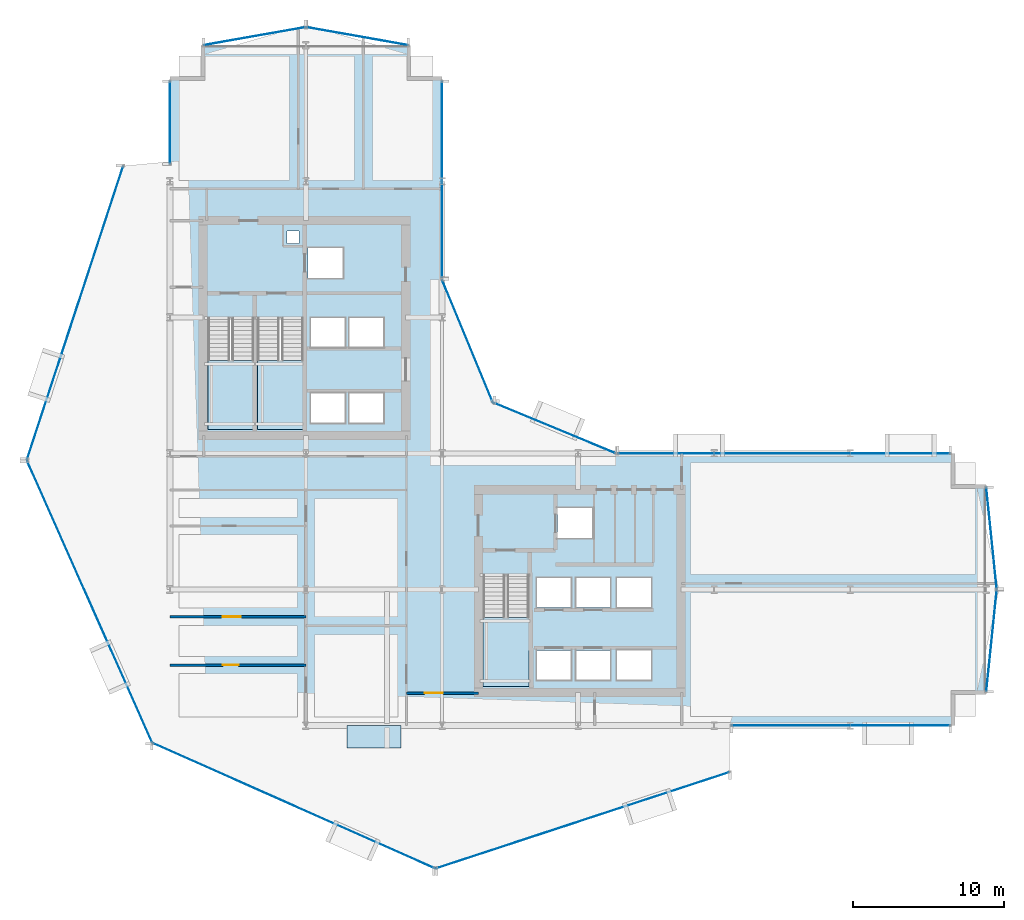
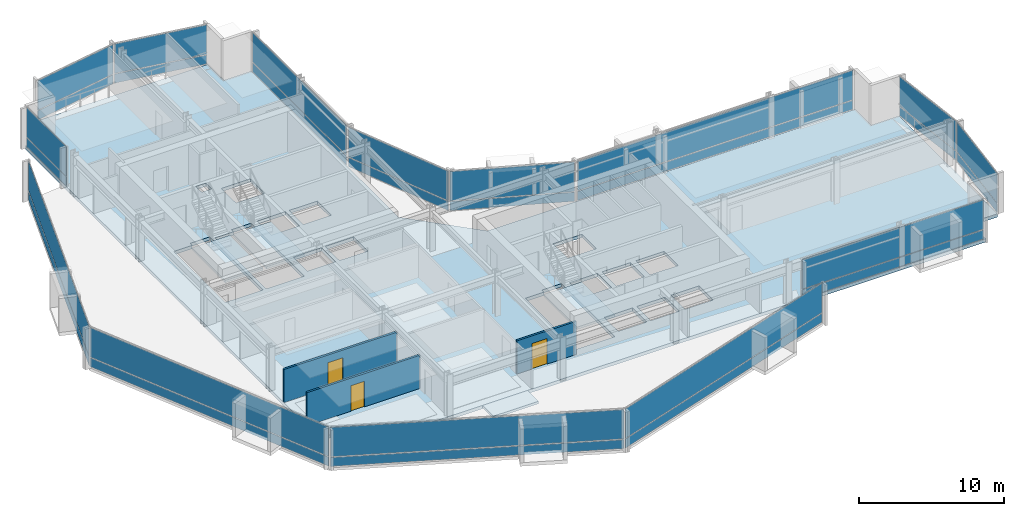
# One storey, part 26 of 34: 28 plates, 5 slabs, 3 doors, 3 walls, 3 openings, 17 elements without a shape of their own.
"""IFC4 building model written with IfcOpenShell, lengths in metres."""

from ifc_helpers import new_model, si_unit, direction, frame, frame_2d, origin, origin_2d, place, context, subcontext, project, spatial, polyline, rectangle, outline, extrude, material, layer, layer_set, type_object, element, fill, aggregate, save


model = new_model("IFC4")

# Units and contexts
model_context = context("Model", 3, precision=1e-05, world=origin(), true_north=direction((0.0, 1.0)))
body_context = subcontext(model_context, "Body", "Model", "MODEL_VIEW")
ifc_project = project(units=[si_unit("LENGTHUNIT", "METRE"), si_unit("AREAUNIT", "SQUARE_METRE"), si_unit("VOLUMEUNIT", "CUBIC_METRE"), si_unit("PLANEANGLEUNIT", "RADIAN"), si_unit("MASSUNIT", "GRAM", prefix="KILO")], contexts=[model_context])

# Site, building, storey
site_placement = place(None, origin())
site = spatial("IfcSite", under=ifc_project, at=site_placement, CompositionType="ELEMENT")
building_placement = place(site_placement, origin())
building = spatial("IfcBuilding", under=site, at=building_placement, Name="Solvaryn Broadcast Tower", CompositionType="ELEMENT")
storey_placement = place(building_placement, frame((0.0, 0.0, 58.199951171875)))
storey = spatial("IfcBuildingStorey", under=building, at=storey_placement, Name="L13", CompositionType="ELEMENT", Elevation=58.199951171875)

# Curtain wall, plates
ifc_material_1 = material(Name="Aluminium and Terracotta Unitised Curtain Wall", Category="masonry")
ifc_layer_1 = layer(ifc_material_1, 0.199951171875)
ifc_layer_set_1 = layer_set([ifc_layer_1], Name="CW-SYS2-LOWMID")
curtain_wall_type_1 = type_object("IfcCurtainWallType", Name="CW-SYS2-LOWMID", PredefinedType="NOTDEFINED", material=ifc_layer_set_1)
curtain_wall_1_placement = place(storey_placement, origin())
curtain_wall_1 = element("IfcCurtainWall", 1, at=curtain_wall_1_placement, inside=storey, type_object=curtain_wall_type_1, Name="L13 Curtain Wall DR1", PredefinedType="NOTDEFINED")
ifc_material_2 = material(Name="Low-Iron Insulated Vision Glass", Category="glass")
ifc_layer_2 = layer(ifc_material_2, 0.035888671875)
ifc_layer_set_2 = layer_set([ifc_layer_2], Name="CW-PNL-VISION")
plate_type = type_object("IfcPlateType", Name="CW-PNL-VISION", PredefinedType="CURTAIN_PANEL", material=ifc_layer_set_2)
plate_1_placement = place(storey_placement, frame((2.72607421875, 36.2880859375, 0.06005859375), z_axis=(0.0, 0.0, 1.0), x_axis=(-0.311594044587, -0.950215318429, 0.0)))
plate_1 = element("IfcPlate", 2, at=plate_1_placement, type_object=plate_type, Name="CWS2 panel 1.1", PredefinedType="CURTAIN_PANEL", context=body_context, shape_type="SweptSolid", body=[
    extrude(rectangle(XDim=20.35546875, YDim=0.028076171875, at=origin_2d()), origin(), (0.0, 0.0, 1.0), 0.760009765625),
])
plate_2_placement = place(storey_placement, frame((2.72607421875, 36.2880859375, 0.880126953125), z_axis=(0.0, 0.0, 1.0), x_axis=(-0.311594044587, -0.950215318429, 0.0)))
plate_2 = element("IfcPlate", 3, at=plate_2_placement, type_object=plate_type, Name="CWS2 panel 1.2", PredefinedType="CURTAIN_PANEL", context=body_context, shape_type="SweptSolid", body=[
    extrude(rectangle(XDim=20.35546875, YDim=0.028076171875, at=origin_2d()), origin(), (0.0, 0.0, 1.0), 2.47998046875),
])
aggregate(curtain_wall_1, [plate_1, plate_2])

ifc_material_3 = material(Name="Aluminium and Terracotta Unitised Curtain Wall", Category="masonry")
ifc_layer_3 = layer(ifc_material_3, 0.239990234375)
ifc_layer_set_3 = layer_set([ifc_layer_3], Name="CW-SYS3-BAYBOX")
curtain_wall_type_2 = type_object("IfcCurtainWallType", Name="CW-SYS3-BAYBOX", PredefinedType="NOTDEFINED", material=ifc_layer_set_3)
curtain_wall_2_placement = place(storey_placement, origin())
curtain_wall_2 = element("IfcCurtainWall", 4, at=curtain_wall_2_placement, inside=storey, type_object=curtain_wall_type_2, Name="L13 Curtain Wall DR2", PredefinedType="NOTDEFINED")
plate_3_placement = place(storey_placement, frame((3.69140625, 17.20361328125, 0.06005859375), z_axis=(0.0, 0.0, 1.0), x_axis=(0.405898286554, -0.913918257271, 0.0)))
plate_3 = element("IfcPlate", 5, at=plate_3_placement, type_object=plate_type, Name="CWS3 panel 1.1", PredefinedType="CURTAIN_PANEL", context=body_context, shape_type="SweptSolid", body=[
    extrude(rectangle(XDim=20.35546875, YDim=0.028076171875, at=origin_2d()), origin(), (0.0, 0.0, 1.0), 0.760009765625),
])
plate_4_placement = place(storey_placement, frame((3.69140625, 17.20361328125, 0.880126953125), z_axis=(0.0, 0.0, 1.0), x_axis=(0.405898286554, -0.913918257271, 0.0)))
plate_4 = element("IfcPlate", 6, at=plate_4_placement, type_object=plate_type, Name="CWS3 panel 1.2", PredefinedType="CURTAIN_PANEL", context=body_context, shape_type="SweptSolid", body=[
    extrude(rectangle(XDim=20.35546875, YDim=0.028076171875, at=origin_2d()), origin(), (0.0, 0.0, 1.0), 2.47998046875),
])
aggregate(curtain_wall_2, [plate_3, plate_4])

curtain_wall_3_placement = place(storey_placement, origin())
curtain_wall_3 = element("IfcCurtainWall", 7, at=curtain_wall_3_placement, inside=storey, type_object=curtain_wall_type_1, Name="L13 Curtain Wall DR3", PredefinedType="NOTDEFINED")
plate_5_placement = place(storey_placement, frame((17.20361328125, 3.69140625, 0.06005859375), z_axis=(0.0, 0.0, 1.0), x_axis=(0.913918257271, -0.405898286554, 0.0)))
plate_5 = element("IfcPlate", 8, at=plate_5_placement, type_object=plate_type, Name="CWS2 panel 1.1", PredefinedType="CURTAIN_PANEL", context=body_context, shape_type="SweptSolid", body=[
    extrude(rectangle(XDim=20.35546875, YDim=0.028076171875, at=origin_2d()), origin(), (0.0, 0.0, 1.0), 0.760009765625),
])
plate_6_placement = place(storey_placement, frame((17.20361328125, 3.69140625, 0.880126953125), z_axis=(0.0, 0.0, 1.0), x_axis=(0.913918257271, -0.405898286554, 0.0)))
plate_6 = element("IfcPlate", 9, at=plate_6_placement, type_object=plate_type, Name="CWS2 panel 1.2", PredefinedType="CURTAIN_PANEL", context=body_context, shape_type="SweptSolid", body=[
    extrude(rectangle(XDim=20.35546875, YDim=0.028076171875, at=origin_2d()), origin(), (0.0, 0.0, 1.0), 2.47998046875),
])
aggregate(curtain_wall_3, [plate_5, plate_6])

curtain_wall_4_placement = place(storey_placement, origin())
curtain_wall_4 = element("IfcCurtainWall", 10, at=curtain_wall_4_placement, inside=storey, type_object=curtain_wall_type_1, Name="L13 Curtain Wall DR4", PredefinedType="NOTDEFINED")
plate_7_placement = place(storey_placement, frame((36.2880859375, 2.72607421875, 0.06005859375), z_axis=(0.0, 0.0, 1.0), x_axis=(0.950215318429, 0.311594044587, 0.0)))
plate_7 = element("IfcPlate", 11, at=plate_7_placement, type_object=plate_type, Name="CWS2 panel 1.1", PredefinedType="CURTAIN_PANEL", context=body_context, shape_type="SweptSolid", body=[
    extrude(rectangle(XDim=20.35546875, YDim=0.028076171875, at=origin_2d()), origin(), (0.0, 0.0, 1.0), 0.760009765625),
])
plate_8_placement = place(storey_placement, frame((36.2880859375, 2.72607421875, 0.880126953125), z_axis=(0.0, 0.0, 1.0), x_axis=(0.950215318429, 0.311594044587, 0.0)))
plate_8 = element("IfcPlate", 12, at=plate_8_placement, type_object=plate_type, Name="CWS2 panel 1.2", PredefinedType="CURTAIN_PANEL", context=body_context, shape_type="SweptSolid", body=[
    extrude(rectangle(XDim=20.35546875, YDim=0.028076171875, at=origin_2d()), origin(), (0.0, 0.0, 1.0), 2.47998046875),
])
aggregate(curtain_wall_4, [plate_7, plate_8])

curtain_wall_5_placement = place(storey_placement, origin())
curtain_wall_5 = element("IfcCurtainWall", 13, at=curtain_wall_5_placement, inside=storey, type_object=curtain_wall_type_1, Name="L13 Curtain Wall W2", PredefinedType="NOTDEFINED")
plate_9_placement = place(storey_placement, frame((9.0, 48.883056640625, 0.06005859375), z_axis=(0.0, 0.0, 1.0), x_axis=(0.0, 1.0, 0.0)))
plate_9 = element("IfcPlate", 14, at=plate_9_placement, type_object=plate_type, Name="CWS2 panel 1.1", PredefinedType="CURTAIN_PANEL", context=body_context, shape_type="SweptSolid", body=[
    extrude(rectangle(XDim=5.4140625, YDim=0.028076171875, at=origin_2d()), origin(), (0.0, 0.0, 1.0), 0.760009765625),
])
plate_10_placement = place(storey_placement, frame((9.0, 48.883056640625, 0.880126953125), z_axis=(0.0, 0.0, 1.0), x_axis=(0.0, 1.0, 0.0)))
plate_10 = element("IfcPlate", 15, at=plate_10_placement, type_object=plate_type, Name="CWS2 panel 1.2", PredefinedType="CURTAIN_PANEL", context=body_context, shape_type="SweptSolid", body=[
    extrude(rectangle(XDim=5.4140625, YDim=0.028076171875, at=origin_2d()), origin(), (0.0, 0.0, 1.0), 2.47998046875),
])
aggregate(curtain_wall_5, [plate_9, plate_10])

curtain_wall_6_placement = place(storey_placement, origin())
curtain_wall_6 = element("IfcCurtainWall", 16, at=curtain_wall_6_placement, inside=storey, type_object=curtain_wall_type_1, Name="L13 Curtain Wall IV", PredefinedType="NOTDEFINED")
plate_11_placement = place(storey_placement, frame((27.0, 45.125, 0.06005859375), z_axis=(0.0, 0.0, 1.0), x_axis=(0.0, -1.0, 0.0)))
plate_11 = element("IfcPlate", 17, at=plate_11_placement, type_object=plate_type, Name="CWS2 panel 1.1", PredefinedType="CURTAIN_PANEL", context=body_context, shape_type="SweptSolid", body=[
    extrude(rectangle(XDim=12.929931640625, YDim=0.028076171875, at=origin_2d()), origin(), (0.0, 0.0, 1.0), 0.760009765625),
])
plate_12_placement = place(storey_placement, frame((27.0, 45.125, 0.880126953125), z_axis=(0.0, 0.0, 1.0), x_axis=(0.0, -1.0, 0.0)))
plate_12 = element("IfcPlate", 18, at=plate_12_placement, type_object=plate_type, Name="CWS2 panel 1.2", PredefinedType="CURTAIN_PANEL", context=body_context, shape_type="SweptSolid", body=[
    extrude(rectangle(XDim=12.929931640625, YDim=0.028076171875, at=origin_2d()), origin(), (0.0, 0.0, 1.0), 2.47998046875),
])
aggregate(curtain_wall_6, [plate_11, plate_12])

curtain_wall_7_placement = place(storey_placement, origin())
curtain_wall_7 = element("IfcCurtainWall", 19, at=curtain_wall_7_placement, inside=storey, type_object=curtain_wall_type_1, Name="L13 Curtain Wall CN1", PredefinedType="NOTDEFINED")
plate_13_placement = place(storey_placement, frame((34.43408203125, 28.68408203125, 0.06005859375), z_axis=(0.0, 0.0, 1.0), x_axis=(-0.923894983957, 0.382646127145, 0.0)))
plate_13 = element("IfcPlate", 20, at=plate_13_placement, type_object=plate_type, Name="CWS2 panel 1.1", PredefinedType="CURTAIN_PANEL", context=body_context, shape_type="SweptSolid", body=[
    extrude(rectangle(XDim=8.681884765625, YDim=0.028076171875, at=origin_2d()), origin(), (0.0, 0.0, 1.0), 0.760009765625),
])
plate_14_placement = place(storey_placement, frame((34.43408203125, 28.68408203125, 0.880126953125), z_axis=(0.0, 0.0, 1.0), x_axis=(-0.923894983957, 0.382646127145, 0.0)))
plate_14 = element("IfcPlate", 21, at=plate_14_placement, type_object=plate_type, Name="CWS2 panel 1.2", PredefinedType="CURTAIN_PANEL", context=body_context, shape_type="SweptSolid", body=[
    extrude(rectangle(XDim=8.681884765625, YDim=0.028076171875, at=origin_2d()), origin(), (0.0, 0.0, 1.0), 2.47998046875),
])
aggregate(curtain_wall_7, [plate_13, plate_14])

curtain_wall_8_placement = place(storey_placement, origin())
curtain_wall_8 = element("IfcCurtainWall", 22, at=curtain_wall_8_placement, inside=storey, type_object=curtain_wall_type_1, Name="L13 Curtain Wall CN2", PredefinedType="NOTDEFINED")
plate_15_placement = place(storey_placement, frame((28.68408203125, 34.43408203125, 0.06005859375), z_axis=(0.0, 0.0, 1.0), x_axis=(-0.382646127145, 0.923894983957, 0.0)))
plate_15 = element("IfcPlate", 23, at=plate_15_placement, type_object=plate_type, Name="CWS2 panel 1.1", PredefinedType="CURTAIN_PANEL", context=body_context, shape_type="SweptSolid", body=[
    extrude(rectangle(XDim=8.681884765625, YDim=0.028076171875, at=origin_2d()), origin(), (0.0, 0.0, 1.0), 0.760009765625),
])
plate_16_placement = place(storey_placement, frame((28.68408203125, 34.43408203125, 0.880126953125), z_axis=(0.0, 0.0, 1.0), x_axis=(-0.382646127145, 0.923894983957, 0.0)))
plate_16 = element("IfcPlate", 24, at=plate_16_placement, type_object=plate_type, Name="CWS2 panel 1.2", PredefinedType="CURTAIN_PANEL", context=body_context, shape_type="SweptSolid", body=[
    extrude(rectangle(XDim=8.681884765625, YDim=0.028076171875, at=origin_2d()), origin(), (0.0, 0.0, 1.0), 2.47998046875),
])
aggregate(curtain_wall_8, [plate_15, plate_16])

curtain_wall_9_placement = place(storey_placement, origin())
curtain_wall_9 = element("IfcCurtainWall", 25, at=curtain_wall_9_placement, inside=storey, type_object=curtain_wall_type_1, Name="L13 Curtain Wall S2", PredefinedType="NOTDEFINED")
plate_17_placement = place(storey_placement, frame((53.383056640625, 9.0, 0.06005859375), z_axis=(0.0, 0.0, 1.0), x_axis=(1.0, 0.0, 0.0)))
plate_17 = element("IfcPlate", 26, at=plate_17_placement, type_object=plate_type, Name="CWS2 panel 1.1", PredefinedType="CURTAIN_PANEL", context=body_context, shape_type="SweptSolid", body=[
    extrude(rectangle(XDim=14.4140625, YDim=0.028076171875, at=origin_2d()), origin(), (0.0, 0.0, 1.0), 0.760009765625),
])
plate_18_placement = place(storey_placement, frame((53.383056640625, 9.0, 0.880126953125), z_axis=(0.0, 0.0, 1.0), x_axis=(1.0, 0.0, 0.0)))
plate_18 = element("IfcPlate", 27, at=plate_18_placement, type_object=plate_type, Name="CWS2 panel 1.2", PredefinedType="CURTAIN_PANEL", context=body_context, shape_type="SweptSolid", body=[
    extrude(rectangle(XDim=14.4140625, YDim=0.028076171875, at=origin_2d()), origin(), (0.0, 0.0, 1.0), 2.47998046875),
])
aggregate(curtain_wall_9, [plate_17, plate_18])

curtain_wall_10_placement = place(storey_placement, origin())
curtain_wall_10 = element("IfcCurtainWall", 28, at=curtain_wall_10_placement, inside=storey, type_object=curtain_wall_type_1, Name="L13 Curtain Wall NT1", PredefinedType="NOTDEFINED")
plate_19_placement = place(storey_placement, frame((21.39990234375, 54.60009765625, 0.06005859375), z_axis=(0.0, 0.0, 1.0), x_axis=(-0.984783558819, 0.173785333901, 0.0)))
plate_19 = element("IfcPlate", 29, at=plate_19_placement, type_object=plate_type, Name="CWS2 panel 1.1", PredefinedType="CURTAIN_PANEL", context=body_context, shape_type="SweptSolid", body=[
    extrude(rectangle(XDim=6.78515625, YDim=0.028076171875, at=origin_2d()), origin(), (0.0, 0.0, 1.0), 0.760009765625),
])
plate_20_placement = place(storey_placement, frame((21.39990234375, 54.60009765625, 0.880126953125), z_axis=(0.0, 0.0, 1.0), x_axis=(-0.984783558819, 0.173785333901, 0.0)))
plate_20 = element("IfcPlate", 30, at=plate_20_placement, type_object=plate_type, Name="CWS2 panel 1.2", PredefinedType="CURTAIN_PANEL", context=body_context, shape_type="SweptSolid", body=[
    extrude(rectangle(XDim=6.78515625, YDim=0.028076171875, at=origin_2d()), origin(), (0.0, 0.0, 1.0), 2.47998046875),
])
aggregate(curtain_wall_10, [plate_19, plate_20])

curtain_wall_11_placement = place(storey_placement, origin())
curtain_wall_11 = element("IfcCurtainWall", 31, at=curtain_wall_11_placement, inside=storey, type_object=curtain_wall_type_1, Name="L13 Curtain Wall NT2", PredefinedType="NOTDEFINED")
plate_21_placement = place(storey_placement, frame((14.60009765625, 54.60009765625, 0.06005859375), z_axis=(0.0, 0.0, 1.0), x_axis=(-0.984783558819, -0.173785333901, 0.0)))
plate_21 = element("IfcPlate", 32, at=plate_21_placement, type_object=plate_type, Name="CWS2 panel 1.1", PredefinedType="CURTAIN_PANEL", context=body_context, shape_type="SweptSolid", body=[
    extrude(rectangle(XDim=6.78515625, YDim=0.028076171875, at=origin_2d()), origin(), (0.0, 0.0, 1.0), 0.760009765625),
])
plate_22_placement = place(storey_placement, frame((14.60009765625, 54.60009765625, 0.880126953125), z_axis=(0.0, 0.0, 1.0), x_axis=(-0.984783558819, -0.173785333901, 0.0)))
plate_22 = element("IfcPlate", 33, at=plate_22_placement, type_object=plate_type, Name="CWS2 panel 1.2", PredefinedType="CURTAIN_PANEL", context=body_context, shape_type="SweptSolid", body=[
    extrude(rectangle(XDim=6.78515625, YDim=0.028076171875, at=origin_2d()), origin(), (0.0, 0.0, 1.0), 2.47998046875),
])
aggregate(curtain_wall_11, [plate_21, plate_22])

curtain_wall_12_placement = place(storey_placement, origin())
curtain_wall_12 = element("IfcCurtainWall", 34, at=curtain_wall_12_placement, inside=storey, type_object=curtain_wall_type_1, Name="L13 Curtain Wall ET1", PredefinedType="NOTDEFINED")
plate_23_placement = place(storey_placement, frame((63.35009765625, 21.39990234375, 0.06005859375), z_axis=(0.0, 0.0, 1.0), x_axis=(0.10240004548, -0.99474329889, 0.0)))
plate_23 = element("IfcPlate", 35, at=plate_23_placement, type_object=plate_type, Name="CWS2 panel 1.1", PredefinedType="CURTAIN_PANEL", context=body_context, shape_type="SweptSolid", body=[
    extrude(rectangle(XDim=6.7158203125, YDim=0.028076171875, at=origin_2d()), origin(), (0.0, 0.0, 1.0), 0.760009765625),
])
plate_24_placement = place(storey_placement, frame((63.35009765625, 21.39990234375, 0.880126953125), z_axis=(0.0, 0.0, 1.0), x_axis=(0.10240004548, -0.99474329889, 0.0)))
plate_24 = element("IfcPlate", 36, at=plate_24_placement, type_object=plate_type, Name="CWS2 panel 1.2", PredefinedType="CURTAIN_PANEL", context=body_context, shape_type="SweptSolid", body=[
    extrude(rectangle(XDim=6.7158203125, YDim=0.028076171875, at=origin_2d()), origin(), (0.0, 0.0, 1.0), 2.47998046875),
])
aggregate(curtain_wall_12, [plate_23, plate_24])

curtain_wall_13_placement = place(storey_placement, origin())
curtain_wall_13 = element("IfcCurtainWall", 37, at=curtain_wall_13_placement, inside=storey, type_object=curtain_wall_type_1, Name="L13 Curtain Wall ET2", PredefinedType="NOTDEFINED")
plate_25_placement = place(storey_placement, frame((63.35009765625, 14.60009765625, 0.06005859375), z_axis=(0.0, 0.0, 1.0), x_axis=(-0.10240004548, -0.99474329889, 0.0)))
plate_25 = element("IfcPlate", 38, at=plate_25_placement, type_object=plate_type, Name="CWS2 panel 1.1", PredefinedType="CURTAIN_PANEL", context=body_context, shape_type="SweptSolid", body=[
    extrude(rectangle(XDim=6.7158203125, YDim=0.028076171875, at=origin_2d()), origin(), (0.0, 0.0, 1.0), 0.760009765625),
])
plate_26_placement = place(storey_placement, frame((63.35009765625, 14.60009765625, 0.880126953125), z_axis=(0.0, 0.0, 1.0), x_axis=(-0.10240004548, -0.99474329889, 0.0)))
plate_26 = element("IfcPlate", 39, at=plate_26_placement, type_object=plate_type, Name="CWS2 panel 1.2", PredefinedType="CURTAIN_PANEL", context=body_context, shape_type="SweptSolid", body=[
    extrude(rectangle(XDim=6.7158203125, YDim=0.028076171875, at=origin_2d()), origin(), (0.0, 0.0, 1.0), 2.47998046875),
])
aggregate(curtain_wall_13, [plate_25, plate_26])

curtain_wall_14_placement = place(storey_placement, origin())
curtain_wall_14 = element("IfcCurtainWall", 40, at=curtain_wall_14_placement, inside=storey, type_object=curtain_wall_type_1, Name="L13 Curtain Wall IH", PredefinedType="NOTDEFINED")
plate_27_placement = place(storey_placement, frame((49.625, 27.0, 0.06005859375), z_axis=(0.0, 0.0, 1.0), x_axis=(1.0, 0.0, 0.0)))
plate_27 = element("IfcPlate", 41, at=plate_27_placement, type_object=plate_type, Name="CWS2 panel 1.1", PredefinedType="CURTAIN_PANEL", context=body_context, shape_type="SweptSolid", body=[
    extrude(rectangle(XDim=21.929931640625, YDim=0.028076171875, at=origin_2d()), origin(), (0.0, 0.0, 1.0), 0.760009765625),
])
plate_28_placement = place(storey_placement, frame((49.625, 27.0, 0.880126953125), z_axis=(0.0, 0.0, 1.0), x_axis=(1.0, 0.0, 0.0)))
plate_28 = element("IfcPlate", 42, at=plate_28_placement, type_object=plate_type, Name="CWS2 panel 1.2", PredefinedType="CURTAIN_PANEL", context=body_context, shape_type="SweptSolid", body=[
    extrude(rectangle(XDim=21.929931640625, YDim=0.028076171875, at=origin_2d()), origin(), (0.0, 0.0, 1.0), 2.47998046875),
])
aggregate(curtain_wall_14, [plate_27, plate_28])

# Slab
ifc_material_4 = material(Name="Concrete f'c 60 MPa", Category="concrete")
ifc_layer_4 = layer(ifc_material_4, 0.2099609375)
ifc_layer_set_4 = layer_set([ifc_layer_4], Name="SL-BAYBOX-210")
slab_type_1 = type_object("IfcSlabType", Name="SL-BAYBOX-210", PredefinedType="FLOOR", material=ifc_layer_set_4)
slab_1_placement = place(storey_placement, frame((0.0, 0.0, -0.2099609375)))
element("IfcSlab", 43, at=slab_1_placement, inside=storey, type_object=slab_type_1, Name="L13 Projecting Bay-Box Slab 1", PredefinedType="FLOOR", context=body_context, shape_type="SweptSolid", body=[
    extrude(outline(polyline([(20.699951171875, 7.5), (24.300048828125, 7.5), (24.300048828125, 9.0), (20.699951171875, 9.0), (20.699951171875, 7.5)])), origin(), (0.0, 0.0, 1.0), 0.2099609375),
])

# Stair, slab
ifc_material_5 = material(Name="Concrete f'c 60 MPa", Category="concrete")
stair_type = type_object("IfcStairType", Name="ST-CORE", PredefinedType="HALF_TURN_STAIR", material=ifc_material_5)
stair_1_placement = place(storey_placement, origin())
stair_1 = element("IfcStair", 44, at=stair_1_placement, inside=storey, type_object=stair_type, Name="L13 ST1", PredefinedType="HALF_TURN_STAIR")
ifc_material_6 = material(Name="Concrete f'c 60 MPa", Category="concrete")
ifc_layer_5 = layer(ifc_material_6, 0.199951171875)
ifc_layer_set_5 = layer_set([ifc_layer_5], Name="SL-LANDING-200")
slab_type_2 = type_object("IfcSlabType", Name="SL-LANDING-200", PredefinedType="LANDING", material=ifc_layer_set_5)
slab_2_placement = place(storey_placement, frame((0.0, 0.0, 1.650146484375)))
slab_2 = element("IfcSlab", 45, at=slab_2_placement, type_object=slab_type_2, Name="ST1 landing 1", PredefinedType="LANDING", context=body_context, shape_type="SweptSolid", body=[
    extrude(outline(polyline([(11.52001953125, 33.159912109375), (11.52001953125, 28.60009765625), (14.550048828125, 28.60009765625), (14.550048828125, 33.159912109375), (11.52001953125, 33.159912109375)])), origin(), (0.0, 0.0, 1.0), 0.199951171875),
])
aggregate(stair_1, [slab_2])

stair_2_placement = place(storey_placement, origin())
stair_2 = element("IfcStair", 46, at=stair_2_placement, inside=storey, type_object=stair_type, Name="L13 ST2", PredefinedType="HALF_TURN_STAIR")
slab_3_placement = place(storey_placement, frame((0.0, 0.0, 1.650146484375)))
slab_3 = element("IfcSlab", 47, at=slab_3_placement, type_object=slab_type_2, Name="ST2 landing 1", PredefinedType="LANDING", context=body_context, shape_type="SweptSolid", body=[
    extrude(outline(polyline([(14.800048828125, 33.159912109375), (14.800048828125, 28.60009765625), (17.830078125, 28.60009765625), (17.830078125, 33.159912109375), (14.800048828125, 33.159912109375)])), origin(), (0.0, 0.0, 1.0), 0.199951171875),
])
aggregate(stair_2, [slab_3])

stair_3_placement = place(storey_placement, origin())
stair_3 = element("IfcStair", 48, at=stair_3_placement, inside=storey, type_object=stair_type, Name="L13 ST3", PredefinedType="HALF_TURN_STAIR")
slab_4_placement = place(storey_placement, frame((0.0, 0.0, 1.650146484375)))
slab_4 = element("IfcSlab", 49, at=slab_4_placement, type_object=slab_type_2, Name="ST3 landing 1", PredefinedType="LANDING", context=body_context, shape_type="SweptSolid", body=[
    extrude(outline(polyline([(29.719970703125, 16.159912109375), (29.719970703125, 11.60009765625), (32.75, 11.60009765625), (32.75, 16.159912109375), (29.719970703125, 16.159912109375)])), origin(), (0.0, 0.0, 1.0), 0.199951171875),
])
aggregate(stair_3, [slab_4])

# Slab
ifc_material_7 = material(Name="Concrete f'c 60 MPa", Category="concrete")
ifc_layer_6 = layer(ifc_material_7, 0.280029296875)
ifc_layer_set_6 = layer_set([ifc_layer_6], Name="SL-TWR-280")
slab_type_3 = type_object("IfcSlabType", Name="SL-TWR-280", PredefinedType="FLOOR", material=ifc_layer_set_6)
slab_5_placement = place(storey_placement, frame((0.0, 0.0, -0.280029296875)))
element("IfcSlab", 50, at=slab_5_placement, inside=storey, type_object=slab_type_3, Name="L13 Structural Floor Slab", PredefinedType="FLOOR", context=body_context, shape_type="SweptSolid", body=[
    extrude(outline(polyline([(11.199951171875, 9.0), (60.800048828125, 9.0), (60.800048828125, 11.199951171875), (63.0, 11.199951171875), (63.0, 24.800048828125), (60.800048828125, 24.800048828125), (60.800048828125, 27.0), (31.5, 27.0), (27.0, 31.5), (27.0, 51.800048828125), (24.800048828125, 51.800048828125), (24.800048828125, 54.0), (11.199951171875, 54.0), (11.199951171875, 51.800048828125), (9.0, 51.800048828125), (9.0, 11.199951171875), (11.199951171875, 11.199951171875), (11.199951171875, 9.0)]), holes=[polyline([(11.52001953125, 28.60009765625), (14.550048828125, 28.60009765625), (14.550048828125, 35.9599609375), (12.97998046875, 35.9599609375), (12.97998046875, 35.679931640625), (11.52001953125, 35.679931640625), (11.52001953125, 28.60009765625)]), polyline([(14.800048828125, 28.60009765625), (17.830078125, 28.60009765625), (17.830078125, 35.9599609375), (16.260009765625, 35.9599609375), (16.260009765625, 35.679931640625), (14.800048828125, 35.679931640625), (14.800048828125, 28.60009765625)]), polyline([(29.719970703125, 11.60009765625), (32.75, 11.60009765625), (32.75, 18.9599609375), (31.179931640625, 18.9599609375), (31.179931640625, 18.679931640625), (29.719970703125, 18.679931640625), (29.719970703125, 11.60009765625)]), polyline([(18.14990234375, 38.60009765625), (20.449951171875, 38.60009765625), (20.449951171875, 40.60009765625), (18.14990234375, 40.60009765625), (18.14990234375, 38.60009765625)]), polyline([(18.324951171875, 29.02490234375), (20.574951171875, 29.02490234375), (20.574951171875, 30.97509765625), (18.324951171875, 30.97509765625), (18.324951171875, 29.02490234375)]), polyline([(20.875, 29.02490234375), (23.125, 29.02490234375), (23.125, 30.97509765625), (20.875, 30.97509765625), (20.875, 29.02490234375)]), polyline([(18.324951171875, 34.02490234375), (20.574951171875, 34.02490234375), (20.574951171875, 35.97509765625), (18.324951171875, 35.97509765625), (18.324951171875, 34.02490234375)]), polyline([(20.875, 34.02490234375), (23.125, 34.02490234375), (23.125, 35.97509765625), (20.875, 35.97509765625), (20.875, 34.02490234375)]), polyline([(34.64990234375, 21.39990234375), (36.949951171875, 21.39990234375), (36.949951171875, 23.39990234375), (34.64990234375, 23.39990234375), (34.64990234375, 21.39990234375)]), polyline([(33.27490234375, 12.02490234375), (35.52490234375, 12.02490234375), (35.52490234375, 13.97509765625), (33.27490234375, 13.97509765625), (33.27490234375, 12.02490234375)]), polyline([(35.875, 12.02490234375), (38.125, 12.02490234375), (38.125, 13.97509765625), (35.875, 13.97509765625), (35.875, 12.02490234375)]), polyline([(33.27490234375, 16.824951171875), (35.52490234375, 16.824951171875), (35.52490234375, 18.77490234375), (33.27490234375, 18.77490234375), (33.27490234375, 16.824951171875)]), polyline([(35.875, 16.824951171875), (38.125, 16.824951171875), (38.125, 18.77490234375), (35.875, 18.77490234375), (35.875, 16.824951171875)]), polyline([(38.574951171875, 12.02490234375), (40.824951171875, 12.02490234375), (40.824951171875, 13.97509765625), (38.574951171875, 13.97509765625), (38.574951171875, 12.02490234375)]), polyline([(38.574951171875, 16.824951171875), (40.824951171875, 16.824951171875), (40.824951171875, 18.77490234375), (38.574951171875, 18.77490234375), (38.574951171875, 16.824951171875)]), polyline([(16.75, 40.89990234375), (17.550048828125, 40.89990234375), (17.550048828125, 41.699951171875), (16.75, 41.699951171875), (16.75, 40.89990234375)])]), origin(), (0.0, 0.0, 1.0), 0.280029296875),
])

# Wall, opening, door
ifc_material_8 = material(Name="Metal-Stud Gypsum Office Partition")
ifc_layer_7 = layer(ifc_material_8, 0.159912109375)
ifc_layer_set_7 = layer_set([ifc_layer_7], Name="IW-PART-160")
wall_type = type_object("IfcWallType", Name="IW-PART-160", PredefinedType="PARTITIONING", material=ifc_layer_set_7)
wall_1_placement = place(storey_placement, frame((9.0, 13.0, 0.0), z_axis=(0.0, 0.0, 1.0), x_axis=(1.0, 0.0, 0.0)))
wall_1 = element("IfcWall", 51, at=wall_1_placement, inside=storey, type_object=wall_type, Name="L13 Interior Partition IW-L13-SWW-H1", PredefinedType="PARTITIONING", context=body_context, shape_type="SweptSolid", body=[
    extrude(rectangle(XDim=9.0, YDim=0.159912109375, at=frame_2d((4.5, 0.0))), origin(), (0.0, 0.0, 1.0), 2.7919921875),
])
opening_1_placement = place(wall_1_placement, frame((3.5, 0.0, 0.0)))
opening_1 = element("IfcOpeningElement", 52, at=opening_1_placement, cuts=wall_1, Name="Opening ID03", PredefinedType="OPENING", context=body_context, shape_type="SweptSolid", body=[
    extrude(rectangle(XDim=1.050048828125, YDim=2.14990234375, at=frame_2d((0.52490234375, 1.074951171875))), frame((0.0, 0.090087890625, 0.0), z_axis=(0.0, -1.0, 0.0), x_axis=(1.0, 0.0, 0.0)), (0.0, 0.0, 1.0), 0.179931640625),
])
ifc_material_9 = material(Name="Flush Acoustic Steel and Timber Door Assembly", Category="steel")
door_type_1 = type_object("IfcDoorType", Name="ID-03-1050X2150", OperationType="NOTDEFINED", PredefinedType="DOOR", material=ifc_material_9)
door_1_placement = place(opening_1_placement, origin())
door_1 = element("IfcDoor", 53, at=door_1_placement, inside=storey, type_object=door_type_1, Name="L13 Door DR-L13-SWW-1", OperationType="SINGLE_SWING_RIGHT", OverallHeight=2.14990234375, OverallWidth=1.050048828125, PredefinedType="DOOR", context=body_context, shape_type="SweptSolid", body=[
    extrude(rectangle(XDim=1.050048828125, YDim=2.14990234375, at=frame_2d((0.52490234375, 1.074951171875))), frame((0.0, 0.02490234375, 0.0), z_axis=(0.0, -1.0, 0.0), x_axis=(1.0, 0.0, 0.0)), (0.0, 0.0, 1.0), 0.050048828125),
])
fill(opening_1, door_1)

wall_2_placement = place(storey_placement, frame((9.0, 16.199951171875, 0.0), z_axis=(0.0, 0.0, 1.0), x_axis=(1.0, 0.0, 0.0)))
wall_2 = element("IfcWall", 54, at=wall_2_placement, inside=storey, type_object=wall_type, Name="L13 Interior Partition IW-L13-SWW-H2", PredefinedType="PARTITIONING", context=body_context, shape_type="SweptSolid", body=[
    extrude(rectangle(XDim=9.0, YDim=0.159912109375, at=frame_2d((4.5, 0.0))), origin(), (0.0, 0.0, 1.0), 2.7919921875),
])
opening_2_placement = place(wall_2_placement, frame((3.5, 0.0, 0.0)))
opening_2 = element("IfcOpeningElement", 55, at=opening_2_placement, cuts=wall_2, Name="Opening ID04", PredefinedType="OPENING", context=body_context, shape_type="SweptSolid", body=[
    extrude(rectangle(XDim=1.199951171875, YDim=2.14990234375, at=frame_2d((0.60009765625, 1.074951171875))), frame((0.0, 0.090087890625, 0.0), z_axis=(0.0, -1.0, 0.0), x_axis=(1.0, 0.0, 0.0)), (0.0, 0.0, 1.0), 0.179931640625),
])
ifc_material_10 = material(Name="Flush Acoustic Steel and Timber Door Assembly", Category="steel")
door_type_2 = type_object("IfcDoorType", Name="ID-04-1200X2150", OperationType="NOTDEFINED", PredefinedType="DOOR", material=ifc_material_10)
door_2_placement = place(opening_2_placement, origin())
door_2 = element("IfcDoor", 56, at=door_2_placement, inside=storey, type_object=door_type_2, Name="L13 Door DR-L13-SWW-2", OperationType="SINGLE_SWING_LEFT", OverallHeight=2.14990234375, OverallWidth=1.199951171875, PredefinedType="DOOR", context=body_context, shape_type="SweptSolid", body=[
    extrude(rectangle(XDim=1.199951171875, YDim=2.14990234375, at=frame_2d((0.60009765625, 1.074951171875))), frame((0.0, 0.02490234375, 0.0), z_axis=(0.0, -1.0, 0.0), x_axis=(1.0, 0.0, 0.0)), (0.0, 0.0, 1.0), 0.050048828125),
])
fill(opening_2, door_2)

wall_3_placement = place(storey_placement, frame((24.64990234375, 11.14990234375, 0.0), z_axis=(0.0, 0.0, 1.0), x_axis=(1.0, 0.0, 0.0)))
wall_3 = element("IfcWall", 57, at=wall_3_placement, inside=storey, type_object=wall_type, Name="L13 Interior Partition IW-L13-SC-N", PredefinedType="PARTITIONING", context=body_context, shape_type="SweptSolid", body=[
    extrude(rectangle(XDim=4.75, YDim=0.159912109375, at=frame_2d((2.375, 0.0))), origin(), (0.0, 0.0, 1.0), 2.7919921875),
])
opening_3_placement = place(wall_3_placement, frame((1.199951171875, 0.0, 0.0)))
opening_3 = element("IfcOpeningElement", 58, at=opening_3_placement, cuts=wall_3, Name="Opening ID04", PredefinedType="OPENING", context=body_context, shape_type="SweptSolid", body=[
    extrude(rectangle(XDim=1.199951171875, YDim=2.14990234375, at=frame_2d((0.60009765625, 1.074951171875))), frame((0.0, 0.090087890625, 0.0), z_axis=(0.0, -1.0, 0.0), x_axis=(1.0, 0.0, 0.0)), (0.0, 0.0, 1.0), 0.179931640625),
])
door_3_placement = place(opening_3_placement, origin())
door_3 = element("IfcDoor", 59, at=door_3_placement, inside=storey, type_object=door_type_2, Name="L13 Door DR-L13-SC0", OperationType="SINGLE_SWING_RIGHT", OverallHeight=2.14990234375, OverallWidth=1.199951171875, PredefinedType="DOOR", context=body_context, shape_type="SweptSolid", body=[
    extrude(rectangle(XDim=1.199951171875, YDim=2.14990234375, at=frame_2d((0.60009765625, 1.074951171875))), frame((0.0, 0.02490234375, 0.0), z_axis=(0.0, -1.0, 0.0), x_axis=(1.0, 0.0, 0.0)), (0.0, 0.0, 1.0), 0.050048828125),
])
fill(opening_3, door_3)

save(model, "model.ifc")
